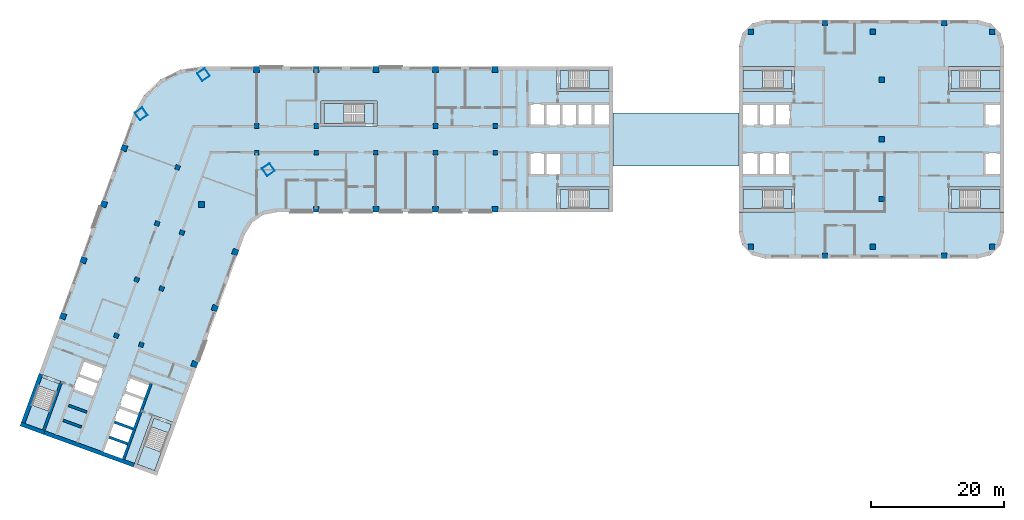
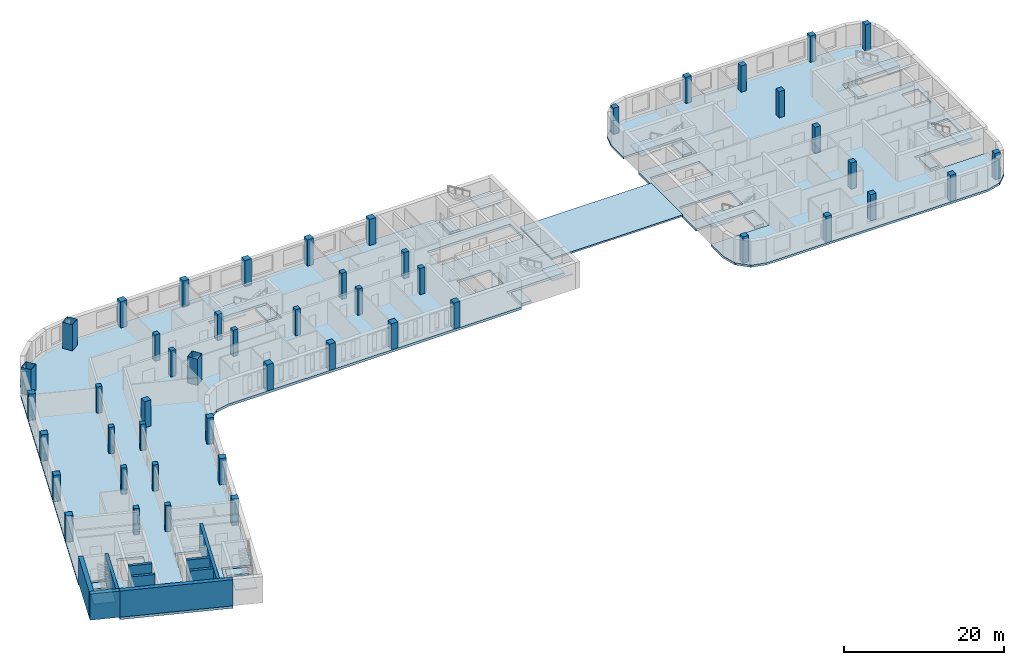
# One storey, part 1 of 12: 49 columns, 21 slabs, 9 walls, 9 elements without a shape of their own.
"""IFC4 building model written with IfcOpenShell, lengths in metres."""

from ifc_helpers import new_model, si_unit, direction, frame, frame_2d, origin, origin_2d, place, context, subcontext, project, spatial, polyline, rectangle, hollow_rectangle, outline, extrude, material, layer, layer_set, material_profile, profile_set, type_object, element, aggregate, save


model = new_model("IFC4")

# Units and contexts
model_context = context("Model", 3, precision=1e-05, world=origin(), true_north=direction((0.0, 1.0)))
body_context = subcontext(model_context, "Body", "Model", "MODEL_VIEW")
ifc_project = project(units=[si_unit("LENGTHUNIT", "METRE"), si_unit("AREAUNIT", "SQUARE_METRE"), si_unit("VOLUMEUNIT", "CUBIC_METRE"), si_unit("PLANEANGLEUNIT", "RADIAN"), si_unit("MASSUNIT", "GRAM", prefix="KILO")], contexts=[model_context])

# Site, building, storey
site_placement = place(None, origin())
site = spatial("IfcSite", under=ifc_project, at=site_placement, CompositionType="ELEMENT")
building_placement = place(site_placement, origin())
building = spatial("IfcBuilding", under=site, at=building_placement, Name="Skarvind Civic Tower", CompositionType="ELEMENT")
storey_placement = place(building_placement, frame((0.0, 0.0, 35.5)))
storey = spatial("IfcBuildingStorey", under=building, at=storey_placement, Name="L07", CompositionType="ELEMENT", Elevation=35.5)

# Columns
ifc_material_1 = material(Name="Concrete C60", Category="concrete")
ifc_material_profile_1 = material_profile(ifc_material_1, rectangle(XDim=0.699951171875, YDim=0.699951171875, at=origin_2d()), Name="RC-700x700")
ifc_profile_set_1 = profile_set([ifc_material_profile_1], Name="Concrete C60")
column_type_1 = type_object("IfcColumnType", Name="Column RC-700x700 C60", PredefinedType="COLUMN", material=ifc_profile_set_1)
for number, where, z_axis, x_axis, name in (
    (1, (54.25, 130.0, 0.0), (0.0, 0.0, 1.0), (1.0, 0.0, 0.0), "Column wing 1 north inner 02 L07"),
    (2, (63.25, 130.0, 0.0), (0.0, 0.0, 1.0), (1.0, 0.0, 0.0), "Column wing 1 north inner 03 L07"),
    (3, (81.25, 130.0, 0.0), (0.0, 0.0, 1.0), (1.0, 0.0, 0.0), "Column wing 1 north inner 05 L07"),
    (4, (90.25, 130.0, 0.0), (0.0, 0.0, 1.0), (1.0, 0.0, 0.0), "Column wing 1 north inner 06 L07"),
    (5, (54.25, 126.0, 0.0), (0.0, 0.0, 1.0), (1.0, 0.0, 0.0), "Column wing 1 south inner 02 L07"),
    (6, (63.25, 126.0, 0.0), (0.0, 0.0, 1.0), (1.0, 0.0, 0.0), "Column wing 1 south inner 03 L07"),
    (7, (72.25, 126.0, 0.0), (0.0, 0.0, 1.0), (1.0, 0.0, 0.0), "Column wing 1 south inner 04 L07"),
    (8, (81.25, 126.0, 0.0), (0.0, 0.0, 1.0), (1.0, 0.0, 0.0), "Column wing 1 south inner 05 L07"),
    (9, (90.25, 126.0, 0.0), (0.0, 0.0, 1.0), (1.0, 0.0, 0.0), "Column wing 1 south inner 06 L07"),
    (10, (43.005615234375, 113.92529296875, 0.0), (0.0, 0.0, 1.0), (-0.342020143326, -0.939692620786, 0.0), "Column wing 2 left inner 02 L07"),
    (11, (39.927490234375, 105.468017578125, 0.0), (0.0, 0.0, 1.0), (-0.342020143326, -0.939692620786, 0.0), "Column wing 2 left inner 03 L07"),
    (12, (36.84912109375, 97.010986328125, 0.0), (0.0, 0.0, 1.0), (-0.342020143326, -0.939692620786, 0.0), "Column wing 2 left inner 04 L07"),
    (13, (42.324951171875, 123.750732421875, 0.0), (0.0, 0.0, 1.0), (-0.342020143326, -0.939692620786, 0.0), "Column wing 2 right inner 01 L07"),
    (14, (39.246826171875, 115.29345703125, 0.0), (0.0, 0.0, 1.0), (-0.342020143326, -0.939692620786, 0.0), "Column wing 2 right inner 02 L07"),
    (15, (36.168701171875, 106.836181640625, 0.0), (0.0, 0.0, 1.0), (-0.342020143326, -0.939692620786, 0.0), "Column wing 2 right inner 03 L07"),
    (16, (33.090576171875, 98.37890625, 0.0), (0.0, 0.0, 1.0), (-0.342020143326, -0.939692620786, 0.0), "Column wing 2 right inner 04 L07"),
):
    element("IfcColumn", number, at=place(storey_placement, frame(where, z_axis=z_axis, x_axis=x_axis)), inside=storey, type_object=column_type_1, Name=name, PredefinedType="COLUMN", context=body_context, shape_type="SweptSolid", body=[
        extrude(rectangle(XDim=0.699951171875, YDim=0.699951171875, at=origin_2d()), origin(), (0.0, 0.0, 1.0), 4.0),
    ])
ifc_material_profile_2 = material_profile(ifc_material_1, rectangle(XDim=0.800048828125, YDim=0.800048828125, at=origin_2d()), Name="RC-800x800")
ifc_profile_set_2 = profile_set([ifc_material_profile_2], Name="Concrete C60")
column_type_2 = type_object("IfcColumnType", Name="Column RC-800x800 C60", PredefinedType="COLUMN", material=ifc_profile_set_2)
for number, where, z_axis, x_axis, name in (
    (17, (128.777099609375, 144.222900390625, 0.0), (0.0, 0.0, 1.0), (1.0, 0.0, 0.0), "Column second tower north-west corner L07"),
    (18, (128.777099609375, 111.777099609375, 0.0), (0.0, 0.0, 1.0), (1.0, 0.0, 0.0), "Column second tower south-west corner L07"),
    (19, (148.550048828125, 119.0, 0.0), (0.0, 0.0, 1.0), (1.0, 0.0, 0.0), "Column second tower middle line 01 L07"),
    (20, (148.550048828125, 128.0, 0.0), (0.0, 0.0, 1.0), (1.0, 0.0, 0.0), "Column second tower middle line 02 L07"),
    (21, (148.550048828125, 137.0, 0.0), (0.0, 0.0, 1.0), (1.0, 0.0, 0.0), "Column second tower middle line 03 L07"),
    (22, (140.0, 145.550048828125, 0.0), (0.0, 0.0, 1.0), (1.0, 0.0, 0.0), "Column second tower north perimeter 02 L07"),
    (23, (147.222900390625, 144.222900390625, 0.0), (0.0, 0.0, 1.0), (1.0, 0.0, 0.0), "Column second tower north perimeter 03 L07"),
    (24, (140.0, 110.449951171875, 0.0), (0.0, 0.0, 1.0), (1.0, 0.0, 0.0), "Column second tower south perimeter 02 L07"),
    (25, (147.222900390625, 111.777099609375, 0.0), (0.0, 0.0, 1.0), (1.0, 0.0, 0.0), "Column second tower south perimeter 03 L07"),
    (26, (165.222900390625, 144.222900390625, 0.0), (0.0, 0.0, 1.0), (1.0, 0.0, 0.0), "Column second tower north-east corner L07"),
    (27, (165.222900390625, 111.777099609375, 0.0), (0.0, 0.0, 1.0), (1.0, 0.0, 0.0), "Column second tower south-east corner L07"),
    (28, (158.0, 145.550048828125, 0.0), (0.0, 0.0, 1.0), (1.0, 0.0, 0.0), "Column second tower north perimeter 04 L07"),
    (29, (158.0, 110.449951171875, 0.0), (0.0, 0.0, 1.0), (1.0, 0.0, 0.0), "Column second tower south perimeter 04 L07"),
):
    element("IfcColumn", number, at=place(storey_placement, frame(where, z_axis=z_axis, x_axis=x_axis)), inside=storey, type_object=column_type_2, Name=name, PredefinedType="COLUMN", context=body_context, shape_type="SweptSolid", body=[
        extrude(rectangle(XDim=0.800048828125, YDim=0.800048828125, at=origin_2d()), origin(), (0.0, 0.0, 1.0), 4.0),
    ])
ifc_material_2 = material(Name="Concrete C80", Category="concrete")
ifc_material_profile_3 = material_profile(ifc_material_2, rectangle(XDim=0.89990234375, YDim=0.89990234375, at=origin_2d()), Name="RC-900x900")
ifc_profile_set_3 = profile_set([ifc_material_profile_3], Name="Concrete C80")
column_type_3 = type_object("IfcColumnType", Name="Column RC-900x900 C80", PredefinedType="COLUMN", material=ifc_profile_set_3)
for number, where, z_axis, x_axis, name in (
    (30, (54.25, 138.550048828125, 0.0), (0.0, 0.0, 1.0), (1.0, 0.0, 0.0), "Column wing 1 north perimeter 02 L07"),
    (31, (63.25, 138.550048828125, 0.0), (0.0, 0.0, 1.0), (1.0, 0.0, 0.0), "Column wing 1 north perimeter 03 L07"),
    (32, (72.25, 138.550048828125, 0.0), (0.0, 0.0, 1.0), (1.0, 0.0, 0.0), "Column wing 1 north perimeter 04 L07"),
    (33, (81.25, 138.550048828125, 0.0), (0.0, 0.0, 1.0), (1.0, 0.0, 0.0), "Column wing 1 north perimeter 05 L07"),
    (34, (90.25, 138.550048828125, 0.0), (0.0, 0.0, 1.0), (1.0, 0.0, 0.0), "Column wing 1 north perimeter 06 L07"),
    (35, (45.95166015625, 118.151611328125, 0.0), (0.0, 0.0, 1.0), (1.0, 0.0, 0.0), "Column wing 1 south perimeter 01 L07"),
    (36, (63.25, 117.449951171875, 0.0), (0.0, 0.0, 1.0), (1.0, 0.0, 0.0), "Column wing 1 south perimeter 03 L07"),
    (37, (72.25, 117.449951171875, 0.0), (0.0, 0.0, 1.0), (1.0, 0.0, 0.0), "Column wing 1 south perimeter 04 L07"),
    (38, (81.25, 117.449951171875, 0.0), (0.0, 0.0, 1.0), (1.0, 0.0, 0.0), "Column wing 1 south perimeter 05 L07"),
    (39, (90.25, 117.449951171875, 0.0), (0.0, 0.0, 1.0), (1.0, 0.0, 0.0), "Column wing 1 south perimeter 06 L07"),
    (40, (51.0400390625, 111.0009765625, 0.0), (0.0, 0.0, 1.0), (-0.342020143326, -0.939692620786, 0.0), "Column wing 2 left perimeter 02 L07"),
    (41, (47.961669921875, 102.5439453125, 0.0), (0.0, 0.0, 1.0), (-0.342020143326, -0.939692620786, 0.0), "Column wing 2 left perimeter 03 L07"),
    (42, (44.883544921875, 94.086669921875, 0.0), (0.0, 0.0, 1.0), (-0.342020143326, -0.939692620786, 0.0), "Column wing 2 left perimeter 04 L07"),
    (43, (34.29052734375, 126.6748046875, 0.0), (0.0, 0.0, 1.0), (-0.342020143326, -0.939692620786, 0.0), "Column wing 2 right perimeter 01 L07"),
    (44, (31.21240234375, 118.2177734375, 0.0), (0.0, 0.0, 1.0), (-0.342020143326, -0.939692620786, 0.0), "Column wing 2 right perimeter 02 L07"),
    (45, (28.13427734375, 109.760498046875, 0.0), (0.0, 0.0, 1.0), (-0.342020143326, -0.939692620786, 0.0), "Column wing 2 right perimeter 03 L07"),
    (46, (25.05615234375, 101.30322265625, 0.0), (0.0, 0.0, 1.0), (-0.342020143326, -0.939692620786, 0.0), "Column wing 2 right perimeter 04 L07"),
):
    element("IfcColumn", number, at=place(storey_placement, frame(where, z_axis=z_axis, x_axis=x_axis)), inside=storey, type_object=column_type_3, Name=name, PredefinedType="COLUMN", context=body_context, shape_type="SweptSolid", body=[
        extrude(rectangle(XDim=0.89990234375, YDim=0.89990234375, at=origin_2d()), origin(), (0.0, 0.0, 1.0), 4.0),
    ])
ifc_material_3 = material(Name="Composite concrete-filled steel tube, Steel SM355 with Concrete C80", Category="concrete")
ifc_material_profile_4 = material_profile(ifc_material_3, hollow_rectangle(XDim=1.39990234375, YDim=1.39990234375, WallThickness=0.0400390625, at=origin_2d()), Name="BOX-1400x1400x40")
ifc_profile_set_4 = profile_set([ifc_material_profile_4], Name="Composite concrete-filled steel tube, Steel SM355 with Concrete C80")
column_type_4 = type_object("IfcColumnType", Name="Mega column BOX-1400x1400x40 filled C80", PredefinedType="COLUMN", material=ifc_profile_set_4)
for number, where, z_axis, x_axis, name in (
    (47, (36.845947265625, 131.837646484375, 0.0), (0.0, 0.0, 1.0), (0.573576436351, -0.819152044289, 0.0), "Mega column 1 L07"),
    (48, (46.2470703125, 137.762451171875, 0.0), (0.0, 0.0, 1.0), (0.573576436351, -0.819152044289, 0.0), "Mega column 2 L07"),
    (49, (56.0361328125, 123.43017578125, 0.0), (0.0, 0.0, 1.0), (0.573576436351, -0.819152044289, 0.0), "Mega column 4 L07"),
):
    element("IfcColumn", number, at=place(storey_placement, frame(where, z_axis=z_axis, x_axis=x_axis)), inside=storey, type_object=column_type_4, Name=name, PredefinedType="COLUMN", context=body_context, shape_type="SweptSolid", body=[
        extrude(hollow_rectangle(XDim=1.39990234375, YDim=1.39990234375, WallThickness=0.0400390625, at=origin_2d()), origin(), (0.0, 0.0, 1.0), 4.0),
    ])

# Slabs
ifc_material_4 = material(Name="Concrete C50", Category="concrete")
ifc_layer_1 = layer(ifc_material_4, 0.375)
ifc_layer_set_1 = layer_set([ifc_layer_1], Name="Floor slab 375 C50")
slab_type_1 = type_object("IfcSlabType", Name="Floor slab 375 C50", PredefinedType="FLOOR", material=ifc_layer_set_1)
slab_1_placement = place(storey_placement, frame((0.0, 0.0, -0.375)))
element("IfcSlab", 50, at=slab_1_placement, inside=storey, type_object=slab_type_1, Name="Floor slab L07 1", PredefinedType="FLOOR", context=body_context, shape_type="SweptSolid", body=[
    extrude(outline(polyline([(99.60009765625, 117.0), (99.60009765625, 120.800048828125), (108.0, 120.800048828125), (108.0, 135.199951171875), (99.60009765625, 135.199951171875), (99.60009765625, 139.0), (46.095458984375, 139.0), (42.739501953125, 138.5009765625), (39.6943359375, 137.005615234375), (37.24755859375, 134.6552734375), (35.630615234375, 131.672607421875), (19.41748046875, 87.126708984375), (21.435302734375, 92.6708984375), (25.006103515625, 91.371337890625), (22.13330078125, 83.477783203125), (36.886474609375, 78.108154296875), (35.664794921875, 78.552734375), (38.53759765625, 86.4462890625), (42.108642578125, 85.146484375), (40.0908203125, 79.602294921875), (40.0908203125, 79.602294921875), (52.493896484375, 113.68017578125), (53.560791015625, 115.421630859375), (55.23388671875, 116.593017578125), (57.235107421875, 117.0), (99.60009765625, 117.0)]), holes=[polyline([(32.625244140625, 85.40576171875), (33.446044921875, 87.660888671875), (34.26708984375, 89.916259765625), (35.087890625, 92.17138671875), (38.28271484375, 91.008544921875), (37.4619140625, 88.75341796875), (36.64111328125, 86.498046875), (35.8203125, 84.242919921875), (35.8203125, 84.242919921875), (34.99951171875, 81.987548828125), (34.178466796875, 79.732421875), (30.983642578125, 80.89501953125), (31.804443359375, 83.150390625), (32.625244140625, 85.40576171875), (32.625244140625, 85.40576171875)]), polyline([(31.3291015625, 93.53955078125), (30.50830078125, 91.2841796875), (29.6875, 89.029052734375), (26.492431640625, 90.19189453125), (27.313232421875, 92.447021484375), (28.134033203125, 94.702392578125), (31.3291015625, 93.53955078125)]), polyline([(64.0, 130.0), (64.0, 133.800048828125), (72.39990234375, 133.800048828125), (72.39990234375, 130.0), (64.0, 130.0)]), polyline([(100.199951171875, 126.0), (100.199951171875, 122.60009765625), (97.800048828125, 122.60009765625), (95.39990234375, 122.60009765625), (95.39990234375, 126.0), (97.800048828125, 126.0), (100.199951171875, 126.0)]), polyline([(100.199951171875, 133.39990234375), (102.60009765625, 133.39990234375), (105.0, 133.39990234375), (107.39990234375, 133.39990234375), (107.39990234375, 130.0), (105.0, 130.0), (102.60009765625, 130.0), (100.199951171875, 130.0), (97.800048828125, 130.0), (95.39990234375, 130.0), (95.39990234375, 133.39990234375), (97.800048828125, 133.39990234375), (100.199951171875, 133.39990234375)])]), origin(), (0.0, 0.0, 1.0), 0.375),
])
ifc_material_5 = material(Name="Steel deck with insulated roof build-up", Category="steel")
ifc_layer_2 = layer(ifc_material_5, 0.25)
ifc_layer_set_2 = layer_set([ifc_layer_2], Name="SX4 BRIDGE ROOF 250")
slab_type_2 = type_object("IfcSlabType", Name="SX4 BRIDGE ROOF 250", PredefinedType="ROOF", material=ifc_layer_set_2)
slab_2_placement = place(storey_placement, origin())
element("IfcSlab", 51, at=slab_2_placement, inside=storey, type_object=slab_type_2, Name="BRIDGE ROOF", PredefinedType="ROOF", context=body_context, shape_type="SweptSolid", body=[
    extrude(outline(polyline([(127.0, 124.0), (127.0, 132.0), (108.0, 132.0), (108.0, 124.0), (127.0, 124.0)])), origin(), (0.0, 0.0, 1.0), 0.25),
])
ifc_layer_3 = layer(ifc_material_4, 0.324951171875)
ifc_layer_set_3 = layer_set([ifc_layer_3], Name="Second tower floor slab 325 C50")
slab_type_3 = type_object("IfcSlabType", Name="Second tower floor slab 325 C50", PredefinedType="FLOOR", material=ifc_layer_set_3)
slab_3_placement = place(storey_placement, frame((0.0, 0.0, -0.324951171875)))
element("IfcSlab", 52, at=slab_3_placement, inside=storey, type_object=slab_type_3, Name="Floor slab L07 1", PredefinedType="FLOOR", context=body_context, shape_type="SweptSolid", body=[
    extrude(outline(polyline([(127.0, 139.0), (135.39990234375, 139.0), (135.39990234375, 135.199951171875), (127.0, 135.199951171875), (127.0, 120.800048828125), (135.39990234375, 120.800048828125), (135.39990234375, 117.0), (127.0, 117.0), (127.0, 114.0), (127.535888671875, 112.0), (129.0, 110.535888671875), (131.0, 110.0), (163.0, 110.0), (165.0, 110.535888671875), (166.464111328125, 112.0), (167.0, 114.0), (167.0, 117.0), (158.60009765625, 117.0), (158.60009765625, 120.800048828125), (167.0, 120.800048828125), (167.0, 135.199951171875), (158.60009765625, 135.199951171875), (158.60009765625, 139.0), (167.0, 139.0), (167.0, 142.0), (166.464111328125, 144.0), (165.0, 145.464111328125), (163.0, 146.0), (131.0, 146.0), (129.0, 145.464111328125), (127.535888671875, 144.0), (127.0, 142.0), (127.0, 139.0)]), holes=[polyline([(132.39990234375, 126.0), (134.800048828125, 126.0), (134.800048828125, 122.60009765625), (132.39990234375, 122.60009765625), (130.0, 122.60009765625), (127.60009765625, 122.60009765625), (127.60009765625, 126.0), (130.0, 126.0), (132.39990234375, 126.0)]), polyline([(130.0, 133.39990234375), (132.39990234375, 133.39990234375), (134.800048828125, 133.39990234375), (134.800048828125, 130.0), (132.39990234375, 130.0), (130.0, 130.0), (127.60009765625, 130.0), (127.60009765625, 133.39990234375), (130.0, 133.39990234375)]), polyline([(166.39990234375, 126.0), (166.39990234375, 122.60009765625), (164.0, 122.60009765625), (164.0, 126.0), (166.39990234375, 126.0)]), polyline([(166.39990234375, 133.39990234375), (166.39990234375, 130.0), (164.0, 130.0), (164.0, 133.39990234375), (166.39990234375, 133.39990234375)])]), origin(), (0.0, 0.0, 1.0), 0.324951171875),
])
ifc_material_6 = material(Name="Concrete C40/50", Category="concrete")
ifc_layer_4 = layer(ifc_material_6, 0.375)
ifc_layer_set_4 = layer_set([ifc_layer_4], Name="Stair floor landing slab 375")
slab_type_4 = type_object("IfcSlabType", Name="Stair floor landing slab 375", PredefinedType="LANDING", material=ifc_layer_set_4)
slab_4_placement = place(storey_placement, frame((0.0, 0.0, -0.375)))
element("IfcSlab", 53, at=slab_4_placement, inside=storey, type_object=slab_type_4, Name="Stair floor landing", PredefinedType="LANDING", context=body_context, shape_type="SweptSolid", body=[
    extrude(outline(polyline([(101.3505859375, 138.400634765625), (101.3505859375, 135.599365234375), (99.99951171875, 135.599365234375), (99.99951171875, 138.400634765625), (101.3505859375, 138.400634765625)])), origin(), (0.0, 0.0, 1.0), 0.375),
])
slab_5_placement = place(storey_placement, frame((0.0, 0.0, -0.375)))
element("IfcSlab", 54, at=slab_5_placement, inside=storey, type_object=slab_type_4, Name="Stair floor landing", PredefinedType="LANDING", context=body_context, shape_type="SweptSolid", body=[
    extrude(outline(polyline([(101.3505859375, 120.400634765625), (101.3505859375, 117.599365234375), (99.99951171875, 117.599365234375), (99.99951171875, 120.400634765625), (101.3505859375, 120.400634765625)])), origin(), (0.0, 0.0, 1.0), 0.375),
])
slab_6_placement = place(storey_placement, frame((0.0, 0.0, -0.375)))
element("IfcSlab", 55, at=slab_6_placement, inside=storey, type_object=slab_type_4, Name="Stair floor landing", PredefinedType="LANDING", context=body_context, shape_type="SweptSolid", body=[
    extrude(outline(polyline([(40.946533203125, 83.70654296875), (38.314208984375, 84.66455078125), (38.7763671875, 85.934326171875), (41.40869140625, 84.976318359375), (40.946533203125, 83.70654296875)])), origin(), (0.0, 0.0, 1.0), 0.375),
])
slab_7_placement = place(storey_placement, frame((0.0, 0.0, -0.375)))
element("IfcSlab", 56, at=slab_7_placement, inside=storey, type_object=slab_type_4, Name="Stair floor landing", PredefinedType="LANDING", context=body_context, shape_type="SweptSolid", body=[
    extrude(outline(polyline([(24.0322265625, 89.863037109375), (21.39990234375, 90.821044921875), (21.862060546875, 92.090576171875), (24.494384765625, 91.132568359375), (24.0322265625, 89.863037109375)])), origin(), (0.0, 0.0, 1.0), 0.375),
])
slab_8_placement = place(storey_placement, frame((0.0, 0.0, -0.375)))
element("IfcSlab", 57, at=slab_8_placement, inside=storey, type_object=slab_type_4, Name="Stair floor landing", PredefinedType="LANDING", context=body_context, shape_type="SweptSolid", body=[
    extrude(outline(polyline([(133.6494140625, 117.599365234375), (133.6494140625, 120.400634765625), (135.00048828125, 120.400634765625), (135.00048828125, 117.599365234375), (133.6494140625, 117.599365234375)])), origin(), (0.0, 0.0, 1.0), 0.375),
])
slab_9_placement = place(storey_placement, frame((0.0, 0.0, -0.375)))
element("IfcSlab", 58, at=slab_9_placement, inside=storey, type_object=slab_type_4, Name="Stair floor landing", PredefinedType="LANDING", context=body_context, shape_type="SweptSolid", body=[
    extrude(outline(polyline([(133.6494140625, 135.599365234375), (133.6494140625, 138.400634765625), (135.00048828125, 138.400634765625), (135.00048828125, 135.599365234375), (133.6494140625, 135.599365234375)])), origin(), (0.0, 0.0, 1.0), 0.375),
])
slab_10_placement = place(storey_placement, frame((0.0, 0.0, -0.375)))
element("IfcSlab", 59, at=slab_10_placement, inside=storey, type_object=slab_type_4, Name="Stair floor landing", PredefinedType="LANDING", context=body_context, shape_type="SweptSolid", body=[
    extrude(outline(polyline([(160.3505859375, 138.400634765625), (160.3505859375, 135.599365234375), (158.99951171875, 135.599365234375), (158.99951171875, 138.400634765625), (160.3505859375, 138.400634765625)])), origin(), (0.0, 0.0, 1.0), 0.375),
])
slab_11_placement = place(storey_placement, frame((0.0, 0.0, -0.375)))
element("IfcSlab", 60, at=slab_11_placement, inside=storey, type_object=slab_type_4, Name="Stair floor landing", PredefinedType="LANDING", context=body_context, shape_type="SweptSolid", body=[
    extrude(outline(polyline([(160.3505859375, 120.400634765625), (160.3505859375, 117.599365234375), (158.99951171875, 117.599365234375), (158.99951171875, 120.400634765625), (160.3505859375, 120.400634765625)])), origin(), (0.0, 0.0, 1.0), 0.375),
])
slab_12_placement = place(storey_placement, frame((0.0, 0.0, -0.375)))
element("IfcSlab", 61, at=slab_12_placement, inside=storey, type_object=slab_type_4, Name="Stair floor landing", PredefinedType="LANDING", context=body_context, shape_type="SweptSolid", body=[
    extrude(outline(polyline([(70.54931640625, 130.3994140625), (70.54931640625, 133.400634765625), (72.00048828125, 133.400634765625), (72.00048828125, 130.3994140625), (70.54931640625, 130.3994140625)])), origin(), (0.0, 0.0, 1.0), 0.375),
])

# Stair, slab
stair_type_1 = type_object("IfcStairType", Name="Exit stair, half-turn, concrete", PredefinedType="HALF_TURN_STAIR", material=ifc_material_6)
stair_1_placement = place(storey_placement, origin())
stair_1 = element("IfcStair", 62, at=stair_1_placement, inside=storey, type_object=stair_type_1, Name="Exit stair C1S", PredefinedType="HALF_TURN_STAIR")
ifc_layer_5 = layer(ifc_material_6, 0.199951171875)
ifc_layer_set_5 = layer_set([ifc_layer_5], Name="Stair half landing slab")
slab_type_5 = type_object("IfcSlabType", Name="Stair half landing slab", PredefinedType="LANDING", material=ifc_layer_set_5)
slab_13_placement = place(storey_placement, frame((0.0, 0.0, 1.800048828125)))
slab_13 = element("IfcSlab", 63, at=slab_13_placement, type_object=slab_type_5, Name="ST-C1S landing 1", PredefinedType="LANDING", context=body_context, shape_type="SweptSolid", body=[
    extrude(outline(polyline([(104.429443359375, 135.599365234375), (104.429443359375, 138.400634765625), (107.400634765625, 138.400634765625), (107.400634765625, 135.599365234375), (104.429443359375, 135.599365234375)])), origin(), (0.0, 0.0, 1.0), 0.199951171875),
])
aggregate(stair_1, [slab_13])

stair_2_placement = place(storey_placement, origin())
stair_2 = element("IfcStair", 64, at=stair_2_placement, inside=storey, type_object=stair_type_1, Name="Exit stair C1N", PredefinedType="HALF_TURN_STAIR")
slab_14_placement = place(storey_placement, frame((0.0, 0.0, 1.800048828125)))
slab_14 = element("IfcSlab", 65, at=slab_14_placement, type_object=slab_type_5, Name="ST-C1N landing 1", PredefinedType="LANDING", context=body_context, shape_type="SweptSolid", body=[
    extrude(outline(polyline([(104.429443359375, 117.599365234375), (104.429443359375, 120.400634765625), (107.400634765625, 120.400634765625), (107.400634765625, 117.599365234375), (104.429443359375, 117.599365234375)])), origin(), (0.0, 0.0, 1.0), 0.199951171875),
])
aggregate(stair_2, [slab_14])

stair_3_placement = place(storey_placement, origin())
stair_3 = element("IfcStair", 66, at=stair_3_placement, inside=storey, type_object=stair_type_1, Name="Exit stair C2S", PredefinedType="HALF_TURN_STAIR")
slab_15_placement = place(storey_placement, frame((0.0, 0.0, 1.800048828125)))
slab_15 = element("IfcSlab", 67, at=slab_15_placement, type_object=slab_type_5, Name="ST-C2S landing 1", PredefinedType="LANDING", context=body_context, shape_type="SweptSolid", body=[
    extrude(outline(polyline([(37.26123046875, 81.771484375), (39.8935546875, 80.8134765625), (38.87744140625, 78.021484375), (36.2451171875, 78.9794921875), (37.26123046875, 81.771484375)])), origin(), (0.0, 0.0, 1.0), 0.199951171875),
])
aggregate(stair_3, [slab_15])

stair_4_placement = place(storey_placement, origin())
stair_4 = element("IfcStair", 68, at=stair_4_placement, inside=storey, type_object=stair_type_1, Name="Exit stair C2N", PredefinedType="HALF_TURN_STAIR")
slab_16_placement = place(storey_placement, frame((0.0, 0.0, 1.800048828125)))
slab_16 = element("IfcSlab", 69, at=slab_16_placement, type_object=slab_type_5, Name="ST-C2N landing 1", PredefinedType="LANDING", context=body_context, shape_type="SweptSolid", body=[
    extrude(outline(polyline([(20.346923828125, 87.927734375), (22.97900390625, 86.9697265625), (21.962890625, 84.177734375), (19.33056640625, 85.1357421875), (20.346923828125, 87.927734375)])), origin(), (0.0, 0.0, 1.0), 0.199951171875),
])
aggregate(stair_4, [slab_16])

stair_5_placement = place(storey_placement, origin())
stair_5 = element("IfcStair", 70, at=stair_5_placement, inside=storey, type_object=stair_type_1, Name="Exit stair CAS", PredefinedType="HALF_TURN_STAIR")
slab_17_placement = place(storey_placement, frame((0.0, 0.0, 1.800048828125)))
slab_17 = element("IfcSlab", 71, at=slab_17_placement, type_object=slab_type_5, Name="ST-CAS landing 1", PredefinedType="LANDING", context=body_context, shape_type="SweptSolid", body=[
    extrude(outline(polyline([(130.570556640625, 120.400634765625), (130.570556640625, 117.599365234375), (127.599365234375, 117.599365234375), (127.599365234375, 120.400634765625), (130.570556640625, 120.400634765625)])), origin(), (0.0, 0.0, 1.0), 0.199951171875),
])
aggregate(stair_5, [slab_17])

stair_6_placement = place(storey_placement, origin())
stair_6 = element("IfcStair", 72, at=stair_6_placement, inside=storey, type_object=stair_type_1, Name="Exit stair CAN", PredefinedType="HALF_TURN_STAIR")
slab_18_placement = place(storey_placement, frame((0.0, 0.0, 1.800048828125)))
slab_18 = element("IfcSlab", 73, at=slab_18_placement, type_object=slab_type_5, Name="ST-CAN landing 1", PredefinedType="LANDING", context=body_context, shape_type="SweptSolid", body=[
    extrude(outline(polyline([(130.570556640625, 138.400634765625), (130.570556640625, 135.599365234375), (127.599365234375, 135.599365234375), (127.599365234375, 138.400634765625), (130.570556640625, 138.400634765625)])), origin(), (0.0, 0.0, 1.0), 0.199951171875),
])
aggregate(stair_6, [slab_18])

stair_7_placement = place(storey_placement, origin())
stair_7 = element("IfcStair", 74, at=stair_7_placement, inside=storey, type_object=stair_type_1, Name="Exit stair CBS", PredefinedType="HALF_TURN_STAIR")
slab_19_placement = place(storey_placement, frame((0.0, 0.0, 1.800048828125)))
slab_19 = element("IfcSlab", 75, at=slab_19_placement, type_object=slab_type_5, Name="ST-CBS landing 1", PredefinedType="LANDING", context=body_context, shape_type="SweptSolid", body=[
    extrude(outline(polyline([(163.429443359375, 135.599365234375), (163.429443359375, 138.400634765625), (166.400634765625, 138.400634765625), (166.400634765625, 135.599365234375), (163.429443359375, 135.599365234375)])), origin(), (0.0, 0.0, 1.0), 0.199951171875),
])
aggregate(stair_7, [slab_19])

stair_8_placement = place(storey_placement, origin())
stair_8 = element("IfcStair", 76, at=stair_8_placement, inside=storey, type_object=stair_type_1, Name="Exit stair CBN", PredefinedType="HALF_TURN_STAIR")
slab_20_placement = place(storey_placement, frame((0.0, 0.0, 1.800048828125)))
slab_20 = element("IfcSlab", 77, at=slab_20_placement, type_object=slab_type_5, Name="ST-CBN landing 1", PredefinedType="LANDING", context=body_context, shape_type="SweptSolid", body=[
    extrude(outline(polyline([(163.429443359375, 117.599365234375), (163.429443359375, 120.400634765625), (166.400634765625, 120.400634765625), (166.400634765625, 117.599365234375), (163.429443359375, 117.599365234375)])), origin(), (0.0, 0.0, 1.0), 0.199951171875),
])
aggregate(stair_8, [slab_20])

stair_type_2 = type_object("IfcStairType", Name="Exit stair 1450, half-turn, concrete", PredefinedType="HALF_TURN_STAIR", material=ifc_material_6)
stair_9_placement = place(storey_placement, origin())
stair_9 = element("IfcStair", 78, at=stair_9_placement, inside=storey, type_object=stair_type_2, Name="Exit stair CM", PredefinedType="HALF_TURN_STAIR")
slab_21_placement = place(storey_placement, frame((0.0, 0.0, 1.800048828125)))
slab_21 = element("IfcSlab", 79, at=slab_21_placement, type_object=slab_type_5, Name="ST-CM landing 1", PredefinedType="LANDING", context=body_context, shape_type="SweptSolid", body=[
    extrude(outline(polyline([(67.470703125, 133.400634765625), (67.470703125, 130.3994140625), (64.3994140625, 130.3994140625), (64.3994140625, 133.400634765625), (67.470703125, 133.400634765625)])), origin(), (0.0, 0.0, 1.0), 0.199951171875),
])
aggregate(stair_9, [slab_21])

# Walls
ifc_layer_6 = layer(ifc_material_2, 0.39990234375)
ifc_layer_set_6 = layer_set([ifc_layer_6], Name="Core wall 400 C80")
wall_type_1 = type_object("IfcWallType", Name="Core wall 400 C80", PredefinedType="SHEAR", material=ifc_layer_set_6)
wall_1_placement = place(storey_placement, frame((22.150390625, 84.110107421875, 0.0), z_axis=(0.0, 0.0, 1.0), x_axis=(0.342016982193, 0.939693771338, 0.0)))
element("IfcWall", 80, at=wall_1_placement, inside=storey, type_object=wall_type_1, Name="Core wall C2 north stair inner L07", PredefinedType="SHEAR", context=body_context, shape_type="SweptSolid", body=[
    extrude(rectangle(XDim=7.800048828125, YDim=0.39990234375, at=frame_2d((3.89990234375, 0.0))), origin(), (0.0, 0.0, 1.0), 4.0),
])
wall_2_placement = place(storey_placement, frame((34.178466796875, 79.732177734375, 0.0), z_axis=(0.0, 0.0, 1.0), x_axis=(0.342014590177, 0.939694641948, 0.0)))
element("IfcWall", 81, at=wall_2_placement, inside=storey, type_object=wall_type_1, Name="Core wall C2 south lift row back L07", PredefinedType="SHEAR", context=body_context, shape_type="SweptSolid", body=[
    extrude(rectangle(XDim=12.2001953125, YDim=0.39990234375, at=frame_2d((6.10009765625, 0.0))), origin(), (0.0, 0.0, 1.0), 4.0),
])
for number, where, z_axis, x_axis, name in (
    (82, (34.8115234375, 82.055908203125, 0.0), (0.0, 0.0, 1.0), (-0.939686455819, 0.342037080957, 0.0), "Core wall C2 south lift row division 1 L07"),
    (83, (35.63232421875, 84.311279296875, 0.0), (0.0, 0.0, 1.0), (-0.939712609717, 0.341965219194, 0.0), "Core wall C2 south lift row division 2 L07"),
    (84, (27.857666015625, 84.5869140625, 0.0), (0.0, 0.0, 1.0), (-0.939686455819, 0.342037080957, 0.0), "Core wall C2 north lift row division 1 L07"),
):
    element("IfcWall", number, at=place(storey_placement, frame(where, z_axis=z_axis, x_axis=x_axis)), inside=storey, type_object=wall_type_1, Name=name, PredefinedType="SHEAR", context=body_context, shape_type="SweptSolid", body=[
        extrude(rectangle(XDim=3.0, YDim=0.39990234375, at=frame_2d((1.5, 0.0))), origin(), (0.0, 0.0, 1.0), 4.0),
    ])
wall_3_placement = place(storey_placement, frame((28.678466796875, 86.842041015625, 0.0), z_axis=(0.0, 0.0, 1.0), x_axis=(-0.939676934218, 0.342063238742, 0.0)))
element("IfcWall", 85, at=wall_3_placement, inside=storey, type_object=wall_type_1, Name="Core wall C2 north lift row division 2 L07", PredefinedType="SHEAR", context=body_context, shape_type="SweptSolid", body=[
    extrude(rectangle(XDim=2.999755859375, YDim=0.39990234375, at=frame_2d((1.5, 0.0))), origin(), (0.0, 0.0, 1.0), 4.0),
])
ifc_layer_7 = layer(ifc_material_2, 0.60009765625)
ifc_layer_set_7 = layer_set([ifc_layer_7], Name="Core wall 600 C80")
wall_type_2 = type_object("IfcWallType", Name="Core wall 600 C80", PredefinedType="SHEAR", material=ifc_layer_set_7)
wall_4_placement = place(storey_placement, frame((35.767333984375, 78.834716796875, 0.0), z_axis=(0.0, 0.0, 1.0), x_axis=(-0.939692894512, 0.342019391267, 0.0)))
element("IfcWall", 86, at=wall_4_placement, inside=storey, type_object=wall_type_2, Name="Core wall C2 tip between the stairs L07", PredefinedType="SHEAR", context=body_context, shape_type="SweptSolid", body=[
    extrude(rectangle(XDim=14.39990234375, YDim=0.60009765625, at=frame_2d((7.199951171875, 0.0))), origin(), (0.0, 0.0, 1.0), 4.0),
])
wall_5_placement = place(storey_placement, frame((22.23583984375, 83.759765625, 0.0), z_axis=(0.0, 0.0, 1.0), x_axis=(-0.939680822529, 0.342052557032, 0.0)))
element("IfcWall", 87, at=wall_5_placement, inside=storey, type_object=wall_type_2, Name="Core wall C2 tip at the north stair L07", PredefinedType="SHEAR", context=body_context, shape_type="SweptSolid", body=[
    extrude(rectangle(XDim=3.800048828125, YDim=0.60009765625, at=frame_2d((1.89990234375, 0.0))), origin(), (0.0, 0.0, 1.0), 4.0),
])
wall_6_placement = place(storey_placement, frame((19.049560546875, 85.23876953125, 0.0), z_axis=(0.0, 0.0, 1.0), x_axis=(0.342016982193, 0.939693771338, 0.0)))
element("IfcWall", 88, at=wall_6_placement, inside=storey, type_object=wall_type_2, Name="Core wall C2 north side at the stair L07", PredefinedType="SHEAR", context=body_context, shape_type="SweptSolid", body=[
    extrude(rectangle(XDim=7.800048828125, YDim=0.60009765625, at=frame_2d((3.89990234375, 0.0))), origin(), (0.0, 0.0, 1.0), 4.0),
])

save(model, "model.ifc")
